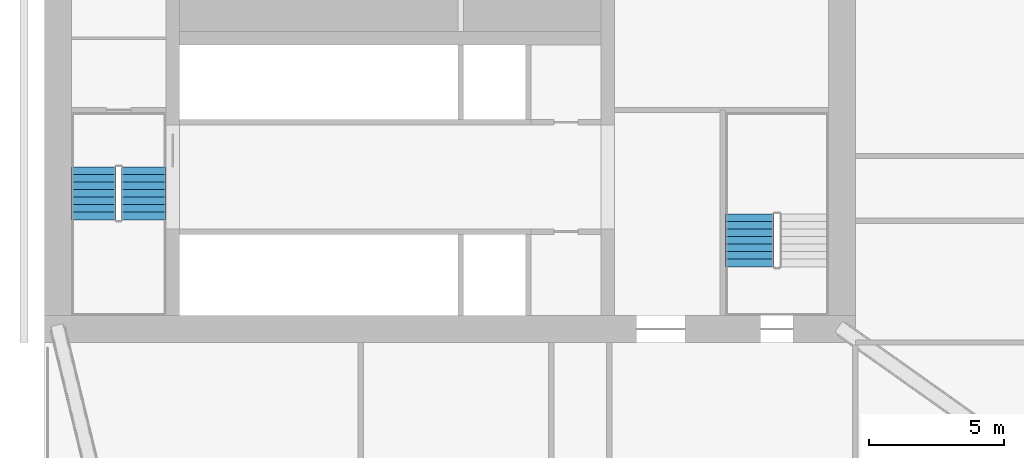
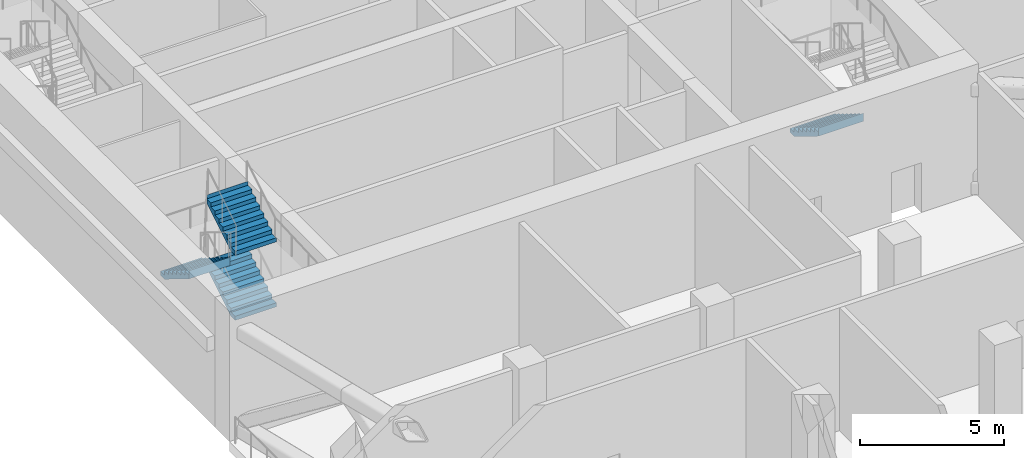
# One storey, part 6 of 10: 4 stair flights, 2 elements without a shape of their own.
"""IFC4 building model written with IfcOpenShell, lengths in metres."""

from ifc_helpers import new_model, si_unit, direction, frame, origin, place, context, subcontext, project, spatial, polyline, outline, extrude, material, type_object, element, aggregate, save


model = new_model("IFC4")

# Units and contexts
model_context = context("Model", 3, precision=1e-05, world=origin(), true_north=direction((0.0, 1.0)))
body_context = subcontext(model_context, "Body", "Model", "MODEL_VIEW")
ifc_project = project(units=[si_unit("LENGTHUNIT", "METRE"), si_unit("AREAUNIT", "SQUARE_METRE"), si_unit("VOLUMEUNIT", "CUBIC_METRE"), si_unit("PLANEANGLEUNIT", "RADIAN"), si_unit("MASSUNIT", "GRAM", prefix="KILO")], contexts=[model_context])

# Site, building, storey
site_placement = place(None, origin())
site = spatial("IfcSite", under=ifc_project, at=site_placement, CompositionType="ELEMENT")
building_placement = place(site_placement, origin())
building = spatial("IfcBuilding", under=site, at=building_placement, Name="Tamorin Gate", CompositionType="ELEMENT")
storey_placement = place(building_placement, frame((0.0, 0.0, 118.699951171875)))
storey = spatial("IfcBuildingStorey", under=building, at=storey_placement, Name="L29", CompositionType="ELEMENT", Elevation=118.699951171875)

# Stair, stair flights
ifc_material = material(Name="Concrete C40/50", Category="concrete")
stair_type = type_object("IfcStairType", Name="Exit stair", PredefinedType="HALF_TURN_STAIR", material=ifc_material)
stair_1_placement = place(storey_placement, origin())
stair_1 = element("IfcStair", 1, at=stair_1_placement, inside=storey, type_object=stair_type, Name="L29 stair ST1", PredefinedType="HALF_TURN_STAIR")
stair_flight_type = type_object("IfcStairFlightType", Name="Exit stair flight", PredefinedType="STRAIGHT", material=ifc_material)
stair_flight_1_placement = place(storey_placement, frame((33.675048828125, 64.5400390625, 1.375), z_axis=(0.0, 0.0, 1.0), x_axis=(0.0, 1.0, 0.0)))
stair_flight_1 = element("IfcStairFlight", 2, at=stair_flight_1_placement, type_object=stair_flight_type, Name="ST1 flight 2", NumberOfRisers=8, NumberOfTreads=7, PredefinedType="STRAIGHT", RiserHeight=0.171875, TreadLength=0.28, context=body_context, shape_type="SweptSolid", body=[
    extrude(outline(polyline([(-0.00048828125, 0.0), (-0.00048828125, 0.001708984375), (-0.00048828125, 0.00341796875), (-0.00048828125, 0.005126953125), (-0.00048828125, 0.0068359375), (-0.00048828125, 0.008544921875), (-0.00048828125, 0.01025390625), (-0.00048828125, 0.011962890625), (-0.00048828125, 0.013671875), (-0.00048828125, 0.015380859375), (-0.00048828125, 0.01708984375), (-0.00048828125, 0.018798828125), (-0.00048828125, 0.0205078125), (-0.00048828125, 0.022216796875), (-0.00048828125, 0.02392578125), (-0.00048828125, 0.025634765625), (-0.00048828125, 0.02734375), (-0.00048828125, 0.02880859375), (-0.00048828125, 0.030517578125), (-0.00048828125, 0.0322265625), (-0.00048828125, 0.033935546875), (-0.00048828125, 0.03564453125), (-0.00048828125, 0.037353515625), (-0.00048828125, 0.0390625), (-0.00048828125, 0.040771484375), (-0.00048828125, 0.04248046875), (-0.00048828125, 0.044189453125), (-0.00048828125, 0.0458984375), (-0.00048828125, 0.047607421875), (-0.00048828125, 0.04931640625), (-0.00048828125, 0.051025390625), (-0.00048828125, 0.052734375), (-0.00048828125, 0.054443359375), (-0.00048828125, 0.05615234375), (-0.00048828125, 0.057861328125), (-0.00048828125, 0.0595703125), (-0.00048828125, 0.061279296875), (-0.00048828125, 0.06298828125), (-0.00048828125, 0.064697265625), (-0.00048828125, 0.06640625), (-0.00048828125, 0.068115234375), (-0.00048828125, 0.06982421875), (-0.00048828125, 0.071533203125), (-0.00048828125, 0.0732421875), (-0.00048828125, 0.074951171875), (-0.00048828125, 0.07666015625), (-0.00048828125, 0.078369140625), (-0.00048828125, 0.080078125), (-0.00048828125, 0.081787109375), (-0.00048828125, 0.08349609375), (-0.00048828125, 0.085205078125), (-0.00048828125, 0.086669921875), (-0.00048828125, 0.08837890625), (-0.00048828125, 0.090087890625), (-0.00048828125, 0.091796875), (-0.00048828125, 0.093505859375), (-0.00048828125, 0.09521484375), (-0.00048828125, 0.096923828125), (-0.00048828125, 0.0986328125), (-0.00048828125, 0.100341796875), (-0.00048828125, 0.10205078125), (-0.00048828125, 0.103759765625), (-0.00048828125, 0.10546875), (-0.00048828125, 0.107177734375), (-0.00048828125, 0.10888671875), (-0.00048828125, 0.110595703125), (-0.00048828125, 0.1123046875), (-0.00048828125, 0.114013671875), (-0.00048828125, 0.11572265625), (-0.00048828125, 0.117431640625), (-0.00048828125, 0.119140625), (-0.00048828125, 0.120849609375), (-0.00048828125, 0.12255859375), (-0.00048828125, 0.124267578125), (-0.00048828125, 0.1259765625), (-0.00048828125, 0.127685546875), (-0.00048828125, 0.12939453125), (-0.00048828125, 0.131103515625), (-0.00048828125, 0.1328125), (-0.00048828125, 0.134521484375), (-0.00048828125, 0.13623046875), (-0.00048828125, 0.137939453125), (-0.00048828125, 0.1396484375), (-0.00048828125, 0.141357421875), (-0.00048828125, 0.14306640625), (-0.00048828125, 0.14453125), (-0.00048828125, 0.146240234375), (-0.00048828125, 0.14794921875), (-0.00048828125, 0.149658203125), (-0.00048828125, 0.1513671875), (-0.00048828125, 0.153076171875), (-0.00048828125, 0.15478515625), (-0.00048828125, 0.156494140625), (-0.00048828125, 0.158203125), (-0.00048828125, 0.159912109375), (-0.00048828125, 0.16162109375), (-0.00048828125, 0.163330078125), (-0.00048828125, 0.1650390625), (-0.00048828125, 0.166748046875), (-0.00048828125, 0.16845703125), (-0.00048828125, 0.170166015625), (-0.00048828125, 0.171875), (0.280029296875, 0.171875), (0.280029296875, 0.34375), (0.56005859375, 0.34375), (0.56005859375, 0.515625), (0.840087890625, 0.515625), (0.840087890625, 0.6875), (1.1201171875, 0.6875), (1.1201171875, 0.859375), (1.39990234375, 0.859375), (1.39990234375, 1.03125), (1.679931640625, 1.03125), (1.679931640625, 1.203125), (1.9599609375, 1.203125), (1.9599609375, 1.375), (1.96044921875, 1.375), (1.96044921875, 1.37158203125), (1.96044921875, 1.3681640625), (1.96044921875, 1.36474609375), (1.96044921875, 1.361328125), (1.96044921875, 1.357666015625), (1.96044921875, 1.354248046875), (1.96044921875, 1.350830078125), (1.96044921875, 1.347412109375), (1.96044921875, 1.343994140625), (1.96044921875, 1.340576171875), (1.96044921875, 1.337158203125), (1.96044921875, 1.333740234375), (1.96044921875, 1.330322265625), (1.96044921875, 1.326904296875), (1.96044921875, 1.3232421875), (1.96044921875, 1.31982421875), (1.96044921875, 1.31640625), (1.96044921875, 1.31298828125), (1.96044921875, 1.3095703125), (1.96044921875, 1.30615234375), (1.96044921875, 1.302734375), (1.96044921875, 1.29931640625), (1.96044921875, 1.2958984375), (1.96044921875, 1.29248046875), (1.96044921875, 1.288818359375), (1.96044921875, 1.285400390625), (1.96044921875, 1.281982421875), (1.96044921875, 1.278564453125), (1.96044921875, 1.275146484375), (1.96044921875, 1.271728515625), (1.96044921875, 1.268310546875), (1.96044921875, 1.264892578125), (1.96044921875, 1.261474609375), (1.96044921875, 1.2578125), (1.96044921875, 1.25439453125), (1.96044921875, 1.2509765625), (1.96044921875, 1.24755859375), (1.96044921875, 1.244140625), (1.96044921875, 1.24072265625), (1.96044921875, 1.2373046875), (1.96044921875, 1.23388671875), (1.96044921875, 1.23046875), (1.96044921875, 1.22705078125), (1.96044921875, 1.223388671875), (1.96044921875, 1.219970703125), (1.96044921875, 1.216552734375), (1.96044921875, 1.213134765625), (1.96044921875, 1.209716796875), (1.96044921875, 1.206298828125), (1.96044921875, 1.202880859375), (1.96044921875, 1.199462890625), (1.96044921875, 1.196044921875), (1.96044921875, 1.192626953125), (1.96044921875, 1.18896484375), (1.96044921875, 1.185546875), (1.96044921875, 1.18212890625), (1.96044921875, 1.1787109375), (1.96044921875, 1.17529296875), (1.96044921875, 1.171875), (1.96044921875, 1.16845703125), (1.96044921875, 1.1650390625), (1.96044921875, 1.16162109375), (1.96044921875, 1.157958984375), (1.96044921875, 1.154541015625), (1.96044921875, 1.151123046875), (1.96044921875, 1.147705078125), (1.96044921875, 1.144287109375), (1.96044921875, 1.140869140625), (1.96044921875, 1.137451171875), (1.96044921875, 1.134033203125), (1.96044921875, 1.130615234375), (1.96044921875, 1.127197265625), (1.96044921875, 1.12353515625), (1.96044921875, 1.1201171875), (1.96044921875, 1.11669921875), (1.96044921875, 1.11328125), (1.96044921875, 1.10986328125), (1.96044921875, 1.1064453125), (1.96044921875, 1.10302734375), (1.96044921875, 1.099609375), (1.96044921875, 1.09619140625), (1.96044921875, 1.0927734375), (1.96044921875, 1.089111328125), (1.96044921875, 1.085693359375), (1.96044921875, 1.082275390625), (1.96044921875, 1.078857421875), (1.96044921875, 1.075439453125), (1.96044921875, 1.072021484375), (1.96044921875, 1.068603515625), (1.96044921875, 1.065185546875), (1.96044921875, 1.061767578125), (1.96044921875, 1.05810546875), (1.96044921875, 1.0546875), (1.96044921875, 1.05126953125), (1.96044921875, 1.0478515625), (1.96044921875, 1.04443359375), (1.96044921875, 1.041015625), (1.96044921875, 1.03759765625), (1.96044921875, 1.0341796875), (1.96044921875, 1.03076171875), (1.96044921875, 1.02734375), (1.9599609375, 1.02734375), (0.28662109375, 0.0), (-0.00048828125, 0.0)])), frame((0.0, 0.824951171875, 0.0), z_axis=(0.0, -1.0, 0.0), x_axis=(1.0, 0.0, 0.0)), (0.0, 0.0, 1.0), 1.64990234375),
])
stair_flight_2_placement = place(storey_placement, frame((31.824951171875, 66.5, 2.75), z_axis=(0.0, 0.0, 1.0), x_axis=(0.0, -1.0, 0.0)))
stair_flight_2 = element("IfcStairFlight", 3, at=stair_flight_2_placement, type_object=stair_flight_type, Name="ST1 flight 3", NumberOfRisers=8, NumberOfTreads=7, PredefinedType="STRAIGHT", RiserHeight=0.171875, TreadLength=0.28, context=body_context, shape_type="SweptSolid", body=[
    extrude(outline(polyline([(-0.00048828125, 0.0), (-0.00048828125, 0.001708984375), (-0.00048828125, 0.00341796875), (-0.00048828125, 0.005126953125), (-0.00048828125, 0.0068359375), (-0.00048828125, 0.008544921875), (-0.00048828125, 0.01025390625), (-0.00048828125, 0.011962890625), (-0.00048828125, 0.013671875), (-0.00048828125, 0.015380859375), (-0.00048828125, 0.01708984375), (-0.00048828125, 0.018798828125), (-0.00048828125, 0.0205078125), (-0.00048828125, 0.022216796875), (-0.00048828125, 0.02392578125), (-0.00048828125, 0.025634765625), (-0.00048828125, 0.02734375), (-0.00048828125, 0.02880859375), (-0.00048828125, 0.030517578125), (-0.00048828125, 0.0322265625), (-0.00048828125, 0.033935546875), (-0.00048828125, 0.03564453125), (-0.00048828125, 0.037353515625), (-0.00048828125, 0.0390625), (-0.00048828125, 0.040771484375), (-0.00048828125, 0.04248046875), (-0.00048828125, 0.044189453125), (-0.00048828125, 0.0458984375), (-0.00048828125, 0.047607421875), (-0.00048828125, 0.04931640625), (-0.00048828125, 0.051025390625), (-0.00048828125, 0.052734375), (-0.00048828125, 0.054443359375), (-0.00048828125, 0.05615234375), (-0.00048828125, 0.057861328125), (-0.00048828125, 0.0595703125), (-0.00048828125, 0.061279296875), (-0.00048828125, 0.06298828125), (-0.00048828125, 0.064697265625), (-0.00048828125, 0.06640625), (-0.00048828125, 0.068115234375), (-0.00048828125, 0.06982421875), (-0.00048828125, 0.071533203125), (-0.00048828125, 0.0732421875), (-0.00048828125, 0.074951171875), (-0.00048828125, 0.07666015625), (-0.00048828125, 0.078369140625), (-0.00048828125, 0.080078125), (-0.00048828125, 0.081787109375), (-0.00048828125, 0.08349609375), (-0.00048828125, 0.085205078125), (-0.00048828125, 0.086669921875), (-0.00048828125, 0.08837890625), (-0.00048828125, 0.090087890625), (-0.00048828125, 0.091796875), (-0.00048828125, 0.093505859375), (-0.00048828125, 0.09521484375), (-0.00048828125, 0.096923828125), (-0.00048828125, 0.0986328125), (-0.00048828125, 0.100341796875), (-0.00048828125, 0.10205078125), (-0.00048828125, 0.103759765625), (-0.00048828125, 0.10546875), (-0.00048828125, 0.107177734375), (-0.00048828125, 0.10888671875), (-0.00048828125, 0.110595703125), (-0.00048828125, 0.1123046875), (-0.00048828125, 0.114013671875), (-0.00048828125, 0.11572265625), (-0.00048828125, 0.117431640625), (-0.00048828125, 0.119140625), (-0.00048828125, 0.120849609375), (-0.00048828125, 0.12255859375), (-0.00048828125, 0.124267578125), (-0.00048828125, 0.1259765625), (-0.00048828125, 0.127685546875), (-0.00048828125, 0.12939453125), (-0.00048828125, 0.131103515625), (-0.00048828125, 0.1328125), (-0.00048828125, 0.134521484375), (-0.00048828125, 0.13623046875), (-0.00048828125, 0.137939453125), (-0.00048828125, 0.1396484375), (-0.00048828125, 0.141357421875), (-0.00048828125, 0.14306640625), (-0.00048828125, 0.14453125), (-0.00048828125, 0.146240234375), (-0.00048828125, 0.14794921875), (-0.00048828125, 0.149658203125), (-0.00048828125, 0.1513671875), (-0.00048828125, 0.153076171875), (-0.00048828125, 0.15478515625), (-0.00048828125, 0.156494140625), (-0.00048828125, 0.158203125), (-0.00048828125, 0.159912109375), (-0.00048828125, 0.16162109375), (-0.00048828125, 0.163330078125), (-0.00048828125, 0.1650390625), (-0.00048828125, 0.166748046875), (-0.00048828125, 0.16845703125), (-0.00048828125, 0.170166015625), (-0.00048828125, 0.171875), (0.280029296875, 0.171875), (0.280029296875, 0.34375), (0.56005859375, 0.34375), (0.56005859375, 0.515625), (0.840087890625, 0.515625), (0.840087890625, 0.6875), (1.1201171875, 0.6875), (1.1201171875, 0.859375), (1.39990234375, 0.859375), (1.39990234375, 1.03125), (1.679931640625, 1.03125), (1.679931640625, 1.203125), (1.9599609375, 1.203125), (1.9599609375, 1.375), (1.96044921875, 1.375), (1.96044921875, 1.37158203125), (1.96044921875, 1.3681640625), (1.96044921875, 1.36474609375), (1.96044921875, 1.361328125), (1.96044921875, 1.357666015625), (1.96044921875, 1.354248046875), (1.96044921875, 1.350830078125), (1.96044921875, 1.347412109375), (1.96044921875, 1.343994140625), (1.96044921875, 1.340576171875), (1.96044921875, 1.337158203125), (1.96044921875, 1.333740234375), (1.96044921875, 1.330322265625), (1.96044921875, 1.326904296875), (1.96044921875, 1.3232421875), (1.96044921875, 1.31982421875), (1.96044921875, 1.31640625), (1.96044921875, 1.31298828125), (1.96044921875, 1.3095703125), (1.96044921875, 1.30615234375), (1.96044921875, 1.302734375), (1.96044921875, 1.29931640625), (1.96044921875, 1.2958984375), (1.96044921875, 1.29248046875), (1.96044921875, 1.288818359375), (1.96044921875, 1.285400390625), (1.96044921875, 1.281982421875), (1.96044921875, 1.278564453125), (1.96044921875, 1.275146484375), (1.96044921875, 1.271728515625), (1.96044921875, 1.268310546875), (1.96044921875, 1.264892578125), (1.96044921875, 1.261474609375), (1.96044921875, 1.2578125), (1.96044921875, 1.25439453125), (1.96044921875, 1.2509765625), (1.96044921875, 1.24755859375), (1.96044921875, 1.244140625), (1.96044921875, 1.24072265625), (1.96044921875, 1.2373046875), (1.96044921875, 1.23388671875), (1.96044921875, 1.23046875), (1.96044921875, 1.22705078125), (1.96044921875, 1.223388671875), (1.96044921875, 1.219970703125), (1.96044921875, 1.216552734375), (1.96044921875, 1.213134765625), (1.96044921875, 1.209716796875), (1.96044921875, 1.206298828125), (1.96044921875, 1.202880859375), (1.96044921875, 1.199462890625), (1.96044921875, 1.196044921875), (1.96044921875, 1.192626953125), (1.96044921875, 1.18896484375), (1.96044921875, 1.185546875), (1.96044921875, 1.18212890625), (1.96044921875, 1.1787109375), (1.96044921875, 1.17529296875), (1.96044921875, 1.171875), (1.96044921875, 1.16845703125), (1.96044921875, 1.1650390625), (1.96044921875, 1.16162109375), (1.96044921875, 1.157958984375), (1.96044921875, 1.154541015625), (1.96044921875, 1.151123046875), (1.96044921875, 1.147705078125), (1.96044921875, 1.144287109375), (1.96044921875, 1.140869140625), (1.96044921875, 1.137451171875), (1.96044921875, 1.134033203125), (1.96044921875, 1.130615234375), (1.96044921875, 1.127197265625), (1.96044921875, 1.12353515625), (1.96044921875, 1.1201171875), (1.96044921875, 1.11669921875), (1.96044921875, 1.11328125), (1.96044921875, 1.10986328125), (1.96044921875, 1.1064453125), (1.96044921875, 1.10302734375), (1.96044921875, 1.099609375), (1.96044921875, 1.09619140625), (1.96044921875, 1.0927734375), (1.96044921875, 1.089111328125), (1.96044921875, 1.085693359375), (1.96044921875, 1.082275390625), (1.96044921875, 1.078857421875), (1.96044921875, 1.075439453125), (1.96044921875, 1.072021484375), (1.96044921875, 1.068603515625), (1.96044921875, 1.065185546875), (1.96044921875, 1.061767578125), (1.96044921875, 1.05810546875), (1.96044921875, 1.0546875), (1.96044921875, 1.05126953125), (1.96044921875, 1.0478515625), (1.96044921875, 1.04443359375), (1.96044921875, 1.041015625), (1.96044921875, 1.03759765625), (1.96044921875, 1.0341796875), (1.96044921875, 1.03076171875), (1.96044921875, 1.02734375), (1.9599609375, 1.02734375), (0.28662109375, 0.0), (-0.00048828125, 0.0)])), frame((0.0, 0.824951171875, 0.0), z_axis=(0.0, -1.0, 0.0), x_axis=(1.0, 0.0, 0.0)), (0.0, 0.0, 1.0), 1.64990234375),
])
stair_flight_3_placement = place(storey_placement, frame((33.675048828125, 64.5400390625, 4.125), z_axis=(0.0, 0.0, 1.0), x_axis=(0.0, 1.0, 0.0)))
stair_flight_3 = element("IfcStairFlight", 4, at=stair_flight_3_placement, type_object=stair_flight_type, Name="ST1 flight 4", NumberOfRisers=8, NumberOfTreads=7, PredefinedType="STRAIGHT", RiserHeight=0.171875, TreadLength=0.28, context=body_context, shape_type="SweptSolid", body=[
    extrude(outline(polyline([(-0.00048828125, 0.0), (-0.00048828125, 0.001708984375), (-0.00048828125, 0.00341796875), (-0.00048828125, 0.005126953125), (-0.00048828125, 0.0068359375), (-0.00048828125, 0.008544921875), (-0.00048828125, 0.01025390625), (-0.00048828125, 0.011962890625), (-0.00048828125, 0.013671875), (-0.00048828125, 0.015380859375), (-0.00048828125, 0.01708984375), (-0.00048828125, 0.018798828125), (-0.00048828125, 0.0205078125), (-0.00048828125, 0.022216796875), (-0.00048828125, 0.02392578125), (-0.00048828125, 0.025634765625), (-0.00048828125, 0.02734375), (-0.00048828125, 0.02880859375), (-0.00048828125, 0.030517578125), (-0.00048828125, 0.0322265625), (-0.00048828125, 0.033935546875), (-0.00048828125, 0.03564453125), (-0.00048828125, 0.037353515625), (-0.00048828125, 0.0390625), (-0.00048828125, 0.040771484375), (-0.00048828125, 0.04248046875), (-0.00048828125, 0.044189453125), (-0.00048828125, 0.0458984375), (-0.00048828125, 0.047607421875), (-0.00048828125, 0.04931640625), (-0.00048828125, 0.051025390625), (-0.00048828125, 0.052734375), (-0.00048828125, 0.054443359375), (-0.00048828125, 0.05615234375), (-0.00048828125, 0.057861328125), (-0.00048828125, 0.0595703125), (-0.00048828125, 0.061279296875), (-0.00048828125, 0.06298828125), (-0.00048828125, 0.064697265625), (-0.00048828125, 0.06640625), (-0.00048828125, 0.068115234375), (-0.00048828125, 0.06982421875), (-0.00048828125, 0.071533203125), (-0.00048828125, 0.0732421875), (-0.00048828125, 0.074951171875), (-0.00048828125, 0.07666015625), (-0.00048828125, 0.078369140625), (-0.00048828125, 0.080078125), (-0.00048828125, 0.081787109375), (-0.00048828125, 0.08349609375), (-0.00048828125, 0.085205078125), (-0.00048828125, 0.086669921875), (-0.00048828125, 0.08837890625), (-0.00048828125, 0.090087890625), (-0.00048828125, 0.091796875), (-0.00048828125, 0.093505859375), (-0.00048828125, 0.09521484375), (-0.00048828125, 0.096923828125), (-0.00048828125, 0.0986328125), (-0.00048828125, 0.100341796875), (-0.00048828125, 0.10205078125), (-0.00048828125, 0.103759765625), (-0.00048828125, 0.10546875), (-0.00048828125, 0.107177734375), (-0.00048828125, 0.10888671875), (-0.00048828125, 0.110595703125), (-0.00048828125, 0.1123046875), (-0.00048828125, 0.114013671875), (-0.00048828125, 0.11572265625), (-0.00048828125, 0.117431640625), (-0.00048828125, 0.119140625), (-0.00048828125, 0.120849609375), (-0.00048828125, 0.12255859375), (-0.00048828125, 0.124267578125), (-0.00048828125, 0.1259765625), (-0.00048828125, 0.127685546875), (-0.00048828125, 0.12939453125), (-0.00048828125, 0.131103515625), (-0.00048828125, 0.1328125), (-0.00048828125, 0.134521484375), (-0.00048828125, 0.13623046875), (-0.00048828125, 0.137939453125), (-0.00048828125, 0.1396484375), (-0.00048828125, 0.141357421875), (-0.00048828125, 0.14306640625), (-0.00048828125, 0.14453125), (-0.00048828125, 0.146240234375), (-0.00048828125, 0.14794921875), (-0.00048828125, 0.149658203125), (-0.00048828125, 0.1513671875), (-0.00048828125, 0.153076171875), (-0.00048828125, 0.15478515625), (-0.00048828125, 0.156494140625), (-0.00048828125, 0.158203125), (-0.00048828125, 0.159912109375), (-0.00048828125, 0.16162109375), (-0.00048828125, 0.163330078125), (-0.00048828125, 0.1650390625), (-0.00048828125, 0.166748046875), (-0.00048828125, 0.16845703125), (-0.00048828125, 0.170166015625), (-0.00048828125, 0.171875), (0.280029296875, 0.171875), (0.280029296875, 0.34375), (0.56005859375, 0.34375), (0.56005859375, 0.515625), (0.840087890625, 0.515625), (0.840087890625, 0.6875), (1.1201171875, 0.6875), (1.1201171875, 0.859375), (1.39990234375, 0.859375), (1.39990234375, 1.03125), (1.679931640625, 1.03125), (1.679931640625, 1.203125), (1.9599609375, 1.203125), (1.9599609375, 1.375), (1.96044921875, 1.375), (1.96044921875, 1.37158203125), (1.96044921875, 1.3681640625), (1.96044921875, 1.36474609375), (1.96044921875, 1.361328125), (1.96044921875, 1.357666015625), (1.96044921875, 1.354248046875), (1.96044921875, 1.350830078125), (1.96044921875, 1.347412109375), (1.96044921875, 1.343994140625), (1.96044921875, 1.340576171875), (1.96044921875, 1.337158203125), (1.96044921875, 1.333740234375), (1.96044921875, 1.330322265625), (1.96044921875, 1.326904296875), (1.96044921875, 1.3232421875), (1.96044921875, 1.31982421875), (1.96044921875, 1.31640625), (1.96044921875, 1.31298828125), (1.96044921875, 1.3095703125), (1.96044921875, 1.30615234375), (1.96044921875, 1.302734375), (1.96044921875, 1.29931640625), (1.96044921875, 1.2958984375), (1.96044921875, 1.29248046875), (1.96044921875, 1.288818359375), (1.96044921875, 1.285400390625), (1.96044921875, 1.281982421875), (1.96044921875, 1.278564453125), (1.96044921875, 1.275146484375), (1.96044921875, 1.271728515625), (1.96044921875, 1.268310546875), (1.96044921875, 1.264892578125), (1.96044921875, 1.261474609375), (1.96044921875, 1.2578125), (1.96044921875, 1.25439453125), (1.96044921875, 1.2509765625), (1.96044921875, 1.24755859375), (1.96044921875, 1.244140625), (1.96044921875, 1.24072265625), (1.96044921875, 1.2373046875), (1.96044921875, 1.23388671875), (1.96044921875, 1.23046875), (1.96044921875, 1.22705078125), (1.96044921875, 1.223388671875), (1.96044921875, 1.219970703125), (1.96044921875, 1.216552734375), (1.96044921875, 1.213134765625), (1.96044921875, 1.209716796875), (1.96044921875, 1.206298828125), (1.96044921875, 1.202880859375), (1.96044921875, 1.199462890625), (1.96044921875, 1.196044921875), (1.96044921875, 1.192626953125), (1.96044921875, 1.18896484375), (1.96044921875, 1.185546875), (1.96044921875, 1.18212890625), (1.96044921875, 1.1787109375), (1.96044921875, 1.17529296875), (1.96044921875, 1.171875), (1.96044921875, 1.16845703125), (1.96044921875, 1.1650390625), (1.96044921875, 1.16162109375), (1.96044921875, 1.157958984375), (1.96044921875, 1.154541015625), (1.96044921875, 1.151123046875), (1.96044921875, 1.147705078125), (1.96044921875, 1.144287109375), (1.96044921875, 1.140869140625), (1.96044921875, 1.137451171875), (1.96044921875, 1.134033203125), (1.96044921875, 1.130615234375), (1.96044921875, 1.127197265625), (1.96044921875, 1.12353515625), (1.96044921875, 1.1201171875), (1.96044921875, 1.11669921875), (1.96044921875, 1.11328125), (1.96044921875, 1.10986328125), (1.96044921875, 1.1064453125), (1.96044921875, 1.10302734375), (1.96044921875, 1.099609375), (1.96044921875, 1.09619140625), (1.96044921875, 1.0927734375), (1.96044921875, 1.089111328125), (1.96044921875, 1.085693359375), (1.96044921875, 1.082275390625), (1.96044921875, 1.078857421875), (1.96044921875, 1.075439453125), (1.96044921875, 1.072021484375), (1.96044921875, 1.068603515625), (1.96044921875, 1.065185546875), (1.96044921875, 1.061767578125), (1.96044921875, 1.05810546875), (1.96044921875, 1.0546875), (1.96044921875, 1.05126953125), (1.96044921875, 1.0478515625), (1.96044921875, 1.04443359375), (1.96044921875, 1.041015625), (1.96044921875, 1.03759765625), (1.96044921875, 1.0341796875), (1.96044921875, 1.03076171875), (1.96044921875, 1.02734375), (1.9599609375, 1.02734375), (0.28662109375, 0.0), (-0.00048828125, 0.0)])), frame((0.0, 0.824951171875, 0.0), z_axis=(0.0, -1.0, 0.0), x_axis=(1.0, 0.0, 0.0)), (0.0, 0.0, 1.0), 1.64990234375),
])
aggregate(stair_1, [stair_flight_1, stair_flight_2, stair_flight_3])

# Stair, stair flight
stair_2_placement = place(storey_placement, origin())
stair_2 = element("IfcStair", 5, at=stair_2_placement, inside=storey, type_object=stair_type, Name="L29 stair ST3", PredefinedType="HALF_TURN_STAIR")
stair_flight_4_placement = place(storey_placement, frame((56.10009765625, 64.760009765625, 1.375), z_axis=(0.0, 0.0, 1.0), x_axis=(0.0, -1.0, 0.0)))
stair_flight_4 = element("IfcStairFlight", 6, at=stair_flight_4_placement, type_object=stair_flight_type, Name="ST3 flight 2", NumberOfRisers=8, NumberOfTreads=7, PredefinedType="STRAIGHT", RiserHeight=0.171875, TreadLength=0.28, context=body_context, shape_type="SweptSolid", body=[
    extrude(outline(polyline([(-0.00048828125, 0.0), (-0.00048828125, 0.001708984375), (-0.00048828125, 0.00341796875), (-0.00048828125, 0.005126953125), (-0.00048828125, 0.0068359375), (-0.00048828125, 0.008544921875), (-0.00048828125, 0.01025390625), (-0.00048828125, 0.011962890625), (-0.00048828125, 0.013671875), (-0.00048828125, 0.015380859375), (-0.00048828125, 0.01708984375), (-0.00048828125, 0.018798828125), (-0.00048828125, 0.0205078125), (-0.00048828125, 0.022216796875), (-0.00048828125, 0.02392578125), (-0.00048828125, 0.025634765625), (-0.00048828125, 0.02734375), (-0.00048828125, 0.02880859375), (-0.00048828125, 0.030517578125), (-0.00048828125, 0.0322265625), (-0.00048828125, 0.033935546875), (-0.00048828125, 0.03564453125), (-0.00048828125, 0.037353515625), (-0.00048828125, 0.0390625), (-0.00048828125, 0.040771484375), (-0.00048828125, 0.04248046875), (-0.00048828125, 0.044189453125), (-0.00048828125, 0.0458984375), (-0.00048828125, 0.047607421875), (-0.00048828125, 0.04931640625), (-0.00048828125, 0.051025390625), (-0.00048828125, 0.052734375), (-0.00048828125, 0.054443359375), (-0.00048828125, 0.05615234375), (-0.00048828125, 0.057861328125), (-0.00048828125, 0.0595703125), (-0.00048828125, 0.061279296875), (-0.00048828125, 0.06298828125), (-0.00048828125, 0.064697265625), (-0.00048828125, 0.06640625), (-0.00048828125, 0.068115234375), (-0.00048828125, 0.06982421875), (-0.00048828125, 0.071533203125), (-0.00048828125, 0.0732421875), (-0.00048828125, 0.074951171875), (-0.00048828125, 0.07666015625), (-0.00048828125, 0.078369140625), (-0.00048828125, 0.080078125), (-0.00048828125, 0.081787109375), (-0.00048828125, 0.08349609375), (-0.00048828125, 0.085205078125), (-0.00048828125, 0.086669921875), (-0.00048828125, 0.08837890625), (-0.00048828125, 0.090087890625), (-0.00048828125, 0.091796875), (-0.00048828125, 0.093505859375), (-0.00048828125, 0.09521484375), (-0.00048828125, 0.096923828125), (-0.00048828125, 0.0986328125), (-0.00048828125, 0.100341796875), (-0.00048828125, 0.10205078125), (-0.00048828125, 0.103759765625), (-0.00048828125, 0.10546875), (-0.00048828125, 0.107177734375), (-0.00048828125, 0.10888671875), (-0.00048828125, 0.110595703125), (-0.00048828125, 0.1123046875), (-0.00048828125, 0.114013671875), (-0.00048828125, 0.11572265625), (-0.00048828125, 0.117431640625), (-0.00048828125, 0.119140625), (-0.00048828125, 0.120849609375), (-0.00048828125, 0.12255859375), (-0.00048828125, 0.124267578125), (-0.00048828125, 0.1259765625), (-0.00048828125, 0.127685546875), (-0.00048828125, 0.12939453125), (-0.00048828125, 0.131103515625), (-0.00048828125, 0.1328125), (-0.00048828125, 0.134521484375), (-0.00048828125, 0.13623046875), (-0.00048828125, 0.137939453125), (-0.00048828125, 0.1396484375), (-0.00048828125, 0.141357421875), (-0.00048828125, 0.14306640625), (-0.00048828125, 0.14453125), (-0.00048828125, 0.146240234375), (-0.00048828125, 0.14794921875), (-0.00048828125, 0.149658203125), (-0.00048828125, 0.1513671875), (-0.00048828125, 0.153076171875), (-0.00048828125, 0.15478515625), (-0.00048828125, 0.156494140625), (-0.00048828125, 0.158203125), (-0.00048828125, 0.159912109375), (-0.00048828125, 0.16162109375), (-0.00048828125, 0.163330078125), (-0.00048828125, 0.1650390625), (-0.00048828125, 0.166748046875), (-0.00048828125, 0.16845703125), (-0.00048828125, 0.170166015625), (-0.00048828125, 0.171875), (0.280029296875, 0.171875), (0.280029296875, 0.34375), (0.56005859375, 0.34375), (0.56005859375, 0.515625), (0.840087890625, 0.515625), (0.840087890625, 0.6875), (1.1201171875, 0.6875), (1.1201171875, 0.859375), (1.39990234375, 0.859375), (1.39990234375, 1.03125), (1.679931640625, 1.03125), (1.679931640625, 1.203125), (1.9599609375, 1.203125), (1.9599609375, 1.375), (1.96044921875, 1.375), (1.96044921875, 1.37158203125), (1.96044921875, 1.3681640625), (1.96044921875, 1.36474609375), (1.96044921875, 1.361328125), (1.96044921875, 1.357666015625), (1.96044921875, 1.354248046875), (1.96044921875, 1.350830078125), (1.96044921875, 1.347412109375), (1.96044921875, 1.343994140625), (1.96044921875, 1.340576171875), (1.96044921875, 1.337158203125), (1.96044921875, 1.333740234375), (1.96044921875, 1.330322265625), (1.96044921875, 1.326904296875), (1.96044921875, 1.3232421875), (1.96044921875, 1.31982421875), (1.96044921875, 1.31640625), (1.96044921875, 1.31298828125), (1.96044921875, 1.3095703125), (1.96044921875, 1.30615234375), (1.96044921875, 1.302734375), (1.96044921875, 1.29931640625), (1.96044921875, 1.2958984375), (1.96044921875, 1.29248046875), (1.96044921875, 1.288818359375), (1.96044921875, 1.285400390625), (1.96044921875, 1.281982421875), (1.96044921875, 1.278564453125), (1.96044921875, 1.275146484375), (1.96044921875, 1.271728515625), (1.96044921875, 1.268310546875), (1.96044921875, 1.264892578125), (1.96044921875, 1.261474609375), (1.96044921875, 1.2578125), (1.96044921875, 1.25439453125), (1.96044921875, 1.2509765625), (1.96044921875, 1.24755859375), (1.96044921875, 1.244140625), (1.96044921875, 1.24072265625), (1.96044921875, 1.2373046875), (1.96044921875, 1.23388671875), (1.96044921875, 1.23046875), (1.96044921875, 1.22705078125), (1.96044921875, 1.223388671875), (1.96044921875, 1.219970703125), (1.96044921875, 1.216552734375), (1.96044921875, 1.213134765625), (1.96044921875, 1.209716796875), (1.96044921875, 1.206298828125), (1.96044921875, 1.202880859375), (1.96044921875, 1.199462890625), (1.96044921875, 1.196044921875), (1.96044921875, 1.192626953125), (1.96044921875, 1.18896484375), (1.96044921875, 1.185546875), (1.96044921875, 1.18212890625), (1.96044921875, 1.1787109375), (1.96044921875, 1.17529296875), (1.96044921875, 1.171875), (1.96044921875, 1.16845703125), (1.96044921875, 1.1650390625), (1.96044921875, 1.16162109375), (1.96044921875, 1.157958984375), (1.96044921875, 1.154541015625), (1.96044921875, 1.151123046875), (1.96044921875, 1.147705078125), (1.96044921875, 1.144287109375), (1.96044921875, 1.140869140625), (1.96044921875, 1.137451171875), (1.96044921875, 1.134033203125), (1.96044921875, 1.130615234375), (1.96044921875, 1.127197265625), (1.96044921875, 1.12353515625), (1.96044921875, 1.1201171875), (1.96044921875, 1.11669921875), (1.96044921875, 1.11328125), (1.96044921875, 1.10986328125), (1.96044921875, 1.1064453125), (1.96044921875, 1.10302734375), (1.96044921875, 1.099609375), (1.96044921875, 1.09619140625), (1.96044921875, 1.0927734375), (1.96044921875, 1.089111328125), (1.96044921875, 1.085693359375), (1.96044921875, 1.082275390625), (1.96044921875, 1.078857421875), (1.96044921875, 1.075439453125), (1.96044921875, 1.072021484375), (1.96044921875, 1.068603515625), (1.96044921875, 1.065185546875), (1.96044921875, 1.061767578125), (1.96044921875, 1.05810546875), (1.96044921875, 1.0546875), (1.96044921875, 1.05126953125), (1.96044921875, 1.0478515625), (1.96044921875, 1.04443359375), (1.96044921875, 1.041015625), (1.96044921875, 1.03759765625), (1.96044921875, 1.0341796875), (1.96044921875, 1.03076171875), (1.96044921875, 1.02734375), (1.9599609375, 1.02734375), (0.28662109375, 0.0), (-0.00048828125, 0.0)])), frame((0.0, 0.89990234375, 0.0), z_axis=(0.0, -1.0, 0.0), x_axis=(1.0, 0.0, 0.0)), (0.0, 0.0, 1.0), 1.800048828125),
])
aggregate(stair_2, [stair_flight_4])

save(model, "model.ifc")
